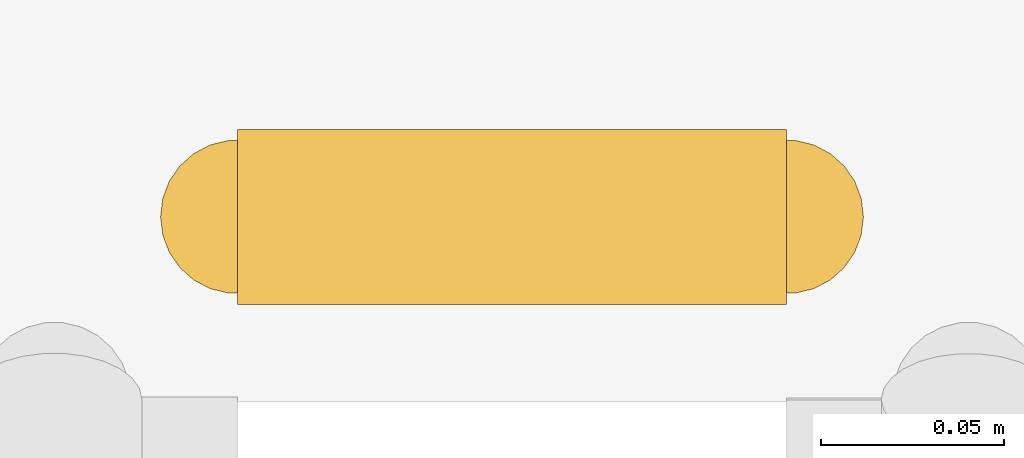
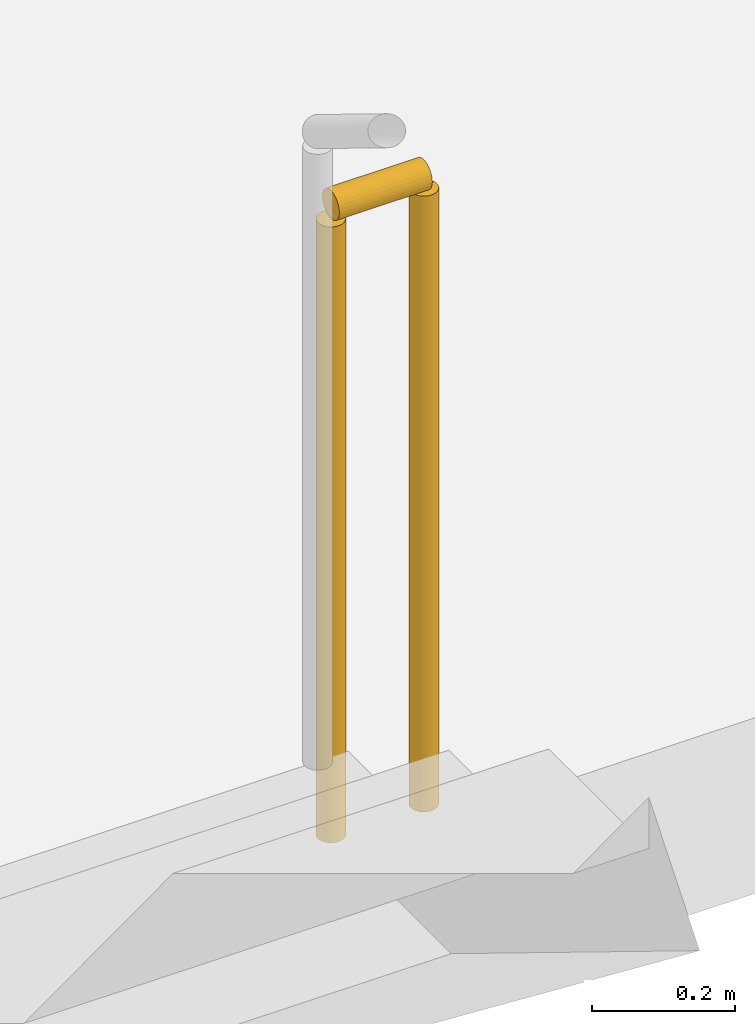
# One storey, part 34 of 35: 1 railing.
"""IFC4 building model written with IfcOpenShell, lengths in metres."""

from ifc_helpers import new_model, si_unit, direction, frame, origin, origin_2d, place, context, subcontext, project, spatial, circle, extrude, material, type_object, element, save


model = new_model("IFC4")

# Units and contexts
model_context = context("Model", 3, precision=1e-05, world=origin(), true_north=direction((0.0, 1.0)))
body_context = subcontext(model_context, "Body", "Model", "MODEL_VIEW")
ifc_project = project(units=[si_unit("LENGTHUNIT", "METRE"), si_unit("AREAUNIT", "SQUARE_METRE"), si_unit("VOLUMEUNIT", "CUBIC_METRE"), si_unit("PLANEANGLEUNIT", "RADIAN"), si_unit("MASSUNIT", "GRAM", prefix="KILO")], contexts=[model_context])

# Site, building, storey
site_placement = place(None, origin())
site = spatial("IfcSite", under=ifc_project, at=site_placement, CompositionType="ELEMENT")
building_placement = place(site_placement, origin())
building = spatial("IfcBuilding", under=site, at=building_placement, Name="Tamorin Gate", CompositionType="ELEMENT")
storey_placement = place(building_placement, frame((0.0, 0.0, 8.0)))
storey = spatial("IfcBuildingStorey", under=building, at=storey_placement, Name="L01", CompositionType="ELEMENT", Elevation=8.0)

# Railing
ifc_material = material(Name="Steel, galvanised", Category="steel")
railing_type = type_object("IfcRailingType", Name="Steel guard 1100 museum", PredefinedType="GUARDRAIL", material=ifc_material)
railing_placement = place(storey_placement, frame((148.699951171875, 95.64990234375, 0.0)))
element("IfcRailing", 1, at=railing_placement, inside=storey, type_object=railing_type, Name="L01 PS6 stair guard 4", PredefinedType="GUARDRAIL", context=body_context, shape_type="SweptSolid", body=[
    extrude(circle(Radius=0.02392578125, at=origin_2d()), frame((0.0, 0.0, 1.076171875), z_axis=(1.0, 0.0, 0.0), x_axis=(0.0, 1.0, 0.0)), (0.0, 0.0, 1.0), 0.150146484375),
    extrude(circle(Radius=0.02099609375, at=origin_2d()), origin(), (0.0, 0.0, 1.0), 1.052001953125),
    extrude(circle(Radius=0.02099609375, at=origin_2d()), frame((0.150146484375, 0.0, 0.0)), (0.0, 0.0, 1.0), 1.052001953125),
])

save(model, "model.ifc")
